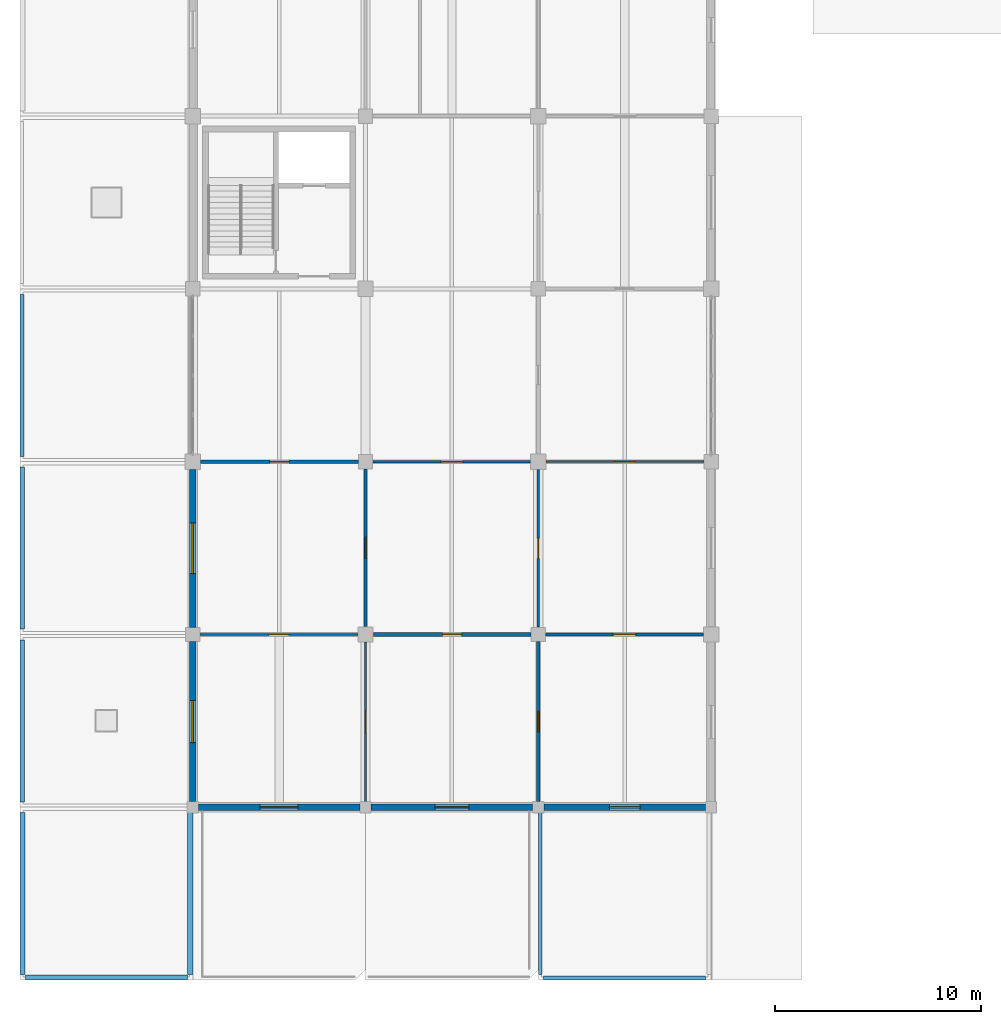
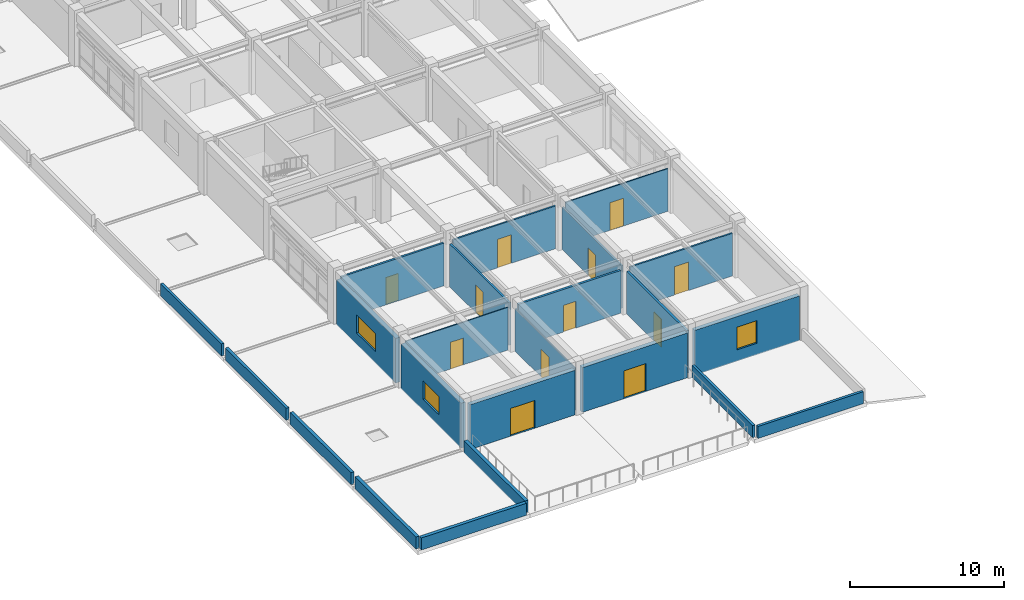
# One storey, part 59 of 78: 23 walls, 12 doors, 3 windows, 15 openings.
"""IFC4 building model written with IfcOpenShell, lengths in metres."""

from ifc_helpers import new_model, si_unit, direction, frame, frame_2d, origin, place, context, subcontext, project, spatial, rectangle, extrude, material, layer, layer_set, type_object, element, fill, save


model = new_model("IFC4")

# Units and contexts
model_context = context("Model", 3, precision=1e-05, world=origin(), true_north=direction((0.0, 1.0)))
body_context = subcontext(model_context, "Body", "Model", "MODEL_VIEW")
ifc_project = project(units=[si_unit("LENGTHUNIT", "METRE"), si_unit("AREAUNIT", "SQUARE_METRE"), si_unit("VOLUMEUNIT", "CUBIC_METRE"), si_unit("PLANEANGLEUNIT", "RADIAN"), si_unit("MASSUNIT", "GRAM", prefix="KILO")], contexts=[model_context])

# Site, building, storey
site_placement = place(None, origin())
site = spatial("IfcSite", under=ifc_project, at=site_placement, CompositionType="ELEMENT")
building_placement = place(site_placement, origin())
building = spatial("IfcBuilding", under=site, at=building_placement, Name="Porcellanite Civic Hall", CompositionType="ELEMENT")
storey_placement = place(building_placement, frame((0.0, 0.0, 10.260009765625)))
storey = spatial("IfcBuildingStorey", under=building, at=storey_placement, Name="L02", CompositionType="ELEMENT", Elevation=10.260009765625)

# Wall, opening, door
ifc_material_1 = material(Name="Precast concrete N40 (40 MPa)", Category="concrete")
ifc_layer_1 = layer(ifc_material_1, 0.320068359375)
ifc_layer_set_1 = layer_set([ifc_layer_1], Name="Precast concrete N40 (40 MPa)")
wall_type_1 = type_object("IfcWallType", Name="EW-COM320", PredefinedType="SOLIDWALL", material=ifc_layer_set_1)
wall_1_placement = place(storey_placement, frame((16.52392578125, 8.39990234375, 0.0), z_axis=(0.0, 0.0, 1.0), x_axis=(-1.0, 0.0, 0.0)))
wall_1 = element("IfcWall", 1, at=wall_1_placement, inside=storey, type_object=wall_type_1, Name="Exterior wall L02 S 2-2", PredefinedType="SOLIDWALL", context=body_context, shape_type="SweptSolid", body=[
    extrude(rectangle(XDim=7.847900390625, YDim=0.320068359375, at=frame_2d((3.923828125, 0.0))), origin(), (0.0, 0.0, 1.0), 3.5400390625),
])
opening_1_placement = place(wall_1_placement, frame((2.9990234375, 0.0, 0.0)))
opening_1 = element("IfcOpeningElement", 2, at=opening_1_placement, cuts=wall_1, Name="Opening TD-03", PredefinedType="OPENING", context=body_context, shape_type="SweptSolid", body=[
    extrude(rectangle(XDim=1.85009765625, YDim=2.199951171875, at=frame_2d((0.925048828125, 1.10009765625))), frame((0.0, 0.16015625, 0.0), z_axis=(0.0, -1.0, 0.0), x_axis=(1.0, 0.0, 0.0)), (0.0, 0.0, 1.0), 0.320068359375),
])
ifc_material_2 = material(Name="Anodised aluminium and laminated safety glass", Category="aluminium")
door_type_1 = type_object("IfcDoorType", Name="DR-TER185", OperationType="DOUBLE_DOOR_SINGLE_SWING", PredefinedType="DOOR", material=ifc_material_2)
door_1_placement = place(opening_1_placement, origin())
door_1 = element("IfcDoor", 3, at=door_1_placement, inside=storey, type_object=door_type_1, Name="Civic terrace door TD-03", OperationType="DOUBLE_DOOR_SINGLE_SWING", OverallHeight=2.199951171875, OverallWidth=1.85009765625, PredefinedType="DOOR", context=body_context, shape_type="SweptSolid", body=[
    extrude(rectangle(XDim=1.85009765625, YDim=2.199951171875, at=frame_2d((0.925048828125, 1.10009765625))), frame((0.0, 0.02490234375, 0.0), z_axis=(0.0, -1.0, 0.0), x_axis=(1.0, 0.0, 0.0)), (0.0, 0.0, 1.0), 0.050048828125),
])
fill(opening_1, door_1)

# Wall, opening, window
wall_2_placement = place(storey_placement, frame((8.39990234375, 8.676025390625, 0.0), z_axis=(0.0, 0.0, 1.0), x_axis=(0.0, 1.0, 0.0)))
wall_2 = element("IfcWall", 4, at=wall_2_placement, inside=storey, type_object=wall_type_1, Name="Exterior wall L02 W 2-2", PredefinedType="SOLIDWALL", context=body_context, shape_type="SweptSolid", body=[
    extrude(rectangle(XDim=7.77294921875, YDim=0.320068359375, at=frame_2d((3.886474609375, 0.0))), origin(), (0.0, 0.0, 1.0), 3.5400390625),
])
opening_2_placement = place(wall_2_placement, frame((2.861083984375, 0.0, 0.89990234375)))
opening_2 = element("IfcOpeningElement", 5, at=opening_2_placement, cuts=wall_2, Name="Opening W39", PredefinedType="OPENING", context=body_context, shape_type="SweptSolid", body=[
    extrude(rectangle(XDim=2.050048828125, YDim=1.449951171875, at=frame_2d((1.02490234375, 0.72509765625))), frame((0.0, 0.16015625, 0.0), z_axis=(0.0, -1.0, 0.0), x_axis=(1.0, 0.0, 0.0)), (0.0, 0.0, 1.0), 0.320068359375),
])
ifc_material_3 = material(Name="Cyclone laminated low-E glazing in anodised aluminium frame", Category="aluminium")
window_type_1 = type_object("IfcWindowType", Name="WN-39", PartitioningType="DOUBLE_PANEL_VERTICAL", PredefinedType="WINDOW", material=ifc_material_3)
window_1_placement = place(opening_2_placement, origin())
window_1 = element("IfcWindow", 6, at=window_1_placement, inside=storey, type_object=window_type_1, Name="Window W39 L02 W 2-2", OverallHeight=1.449951171875, OverallWidth=2.050048828125, PartitioningType="SINGLE_PANEL", PredefinedType="WINDOW", context=body_context, shape_type="SweptSolid", body=[
    extrude(rectangle(XDim=2.050048828125, YDim=1.449951171875, at=frame_2d((1.02490234375, 0.72509765625))), frame((0.0, 0.030029296875, 0.0), z_axis=(0.0, -1.0, 0.0), x_axis=(1.0, 0.0, 0.0)), (0.0, 0.0, 1.0), 0.06005859375),
])
fill(opening_2, window_1)

wall_3_placement = place(storey_placement, frame((8.39990234375, 17.15087890625, 0.0), z_axis=(0.0, 0.0, 1.0), x_axis=(0.0, 1.0, 0.0)))
wall_3 = element("IfcWall", 7, at=wall_3_placement, inside=storey, type_object=wall_type_1, Name="Exterior wall L02 W 2-3", PredefinedType="SOLIDWALL", context=body_context, shape_type="SweptSolid", body=[
    extrude(rectangle(XDim=7.673095703125, YDim=0.320068359375, at=frame_2d((3.83642578125, 0.0))), origin(), (0.0, 0.0, 1.0), 3.5400390625),
])
opening_3_placement = place(wall_3_placement, frame((2.611083984375, 0.0, 0.89990234375)))
opening_3 = element("IfcOpeningElement", 8, at=opening_3_placement, cuts=wall_3, Name="Opening W40", PredefinedType="OPENING", context=body_context, shape_type="SweptSolid", body=[
    extrude(rectangle(XDim=2.449951171875, YDim=1.449951171875, at=frame_2d((1.22509765625, 0.72509765625))), frame((0.0, 0.16015625, 0.0), z_axis=(0.0, -1.0, 0.0), x_axis=(1.0, 0.0, 0.0)), (0.0, 0.0, 1.0), 0.320068359375),
])
ifc_material_4 = material(Name="Cyclone laminated low-E glazing in anodised aluminium frame", Category="aluminium")
window_type_2 = type_object("IfcWindowType", Name="WN-40", PartitioningType="DOUBLE_PANEL_VERTICAL", PredefinedType="WINDOW", material=ifc_material_4)
window_2_placement = place(opening_3_placement, origin())
window_2 = element("IfcWindow", 9, at=window_2_placement, inside=storey, type_object=window_type_2, Name="Window W40 L02 W 2-3", OverallHeight=1.449951171875, OverallWidth=2.449951171875, PartitioningType="SINGLE_PANEL", PredefinedType="WINDOW", context=body_context, shape_type="SweptSolid", body=[
    extrude(rectangle(XDim=2.449951171875, YDim=1.449951171875, at=frame_2d((1.22509765625, 0.72509765625))), frame((0.0, 0.030029296875, 0.0), z_axis=(0.0, -1.0, 0.0), x_axis=(1.0, 0.0, 0.0)), (0.0, 0.0, 1.0), 0.06005859375),
])
fill(opening_3, window_2)

# Wall, opening, door
wall_4_placement = place(storey_placement, frame((24.924072265625, 8.39990234375, 0.0), z_axis=(0.0, 0.0, 1.0), x_axis=(-1.0, 0.0, 0.0)))
wall_4 = element("IfcWall", 10, at=wall_4_placement, inside=storey, type_object=wall_type_1, Name="Exterior wall L02 S 3-2", PredefinedType="SOLIDWALL", context=body_context, shape_type="SweptSolid", body=[
    extrude(rectangle(XDim=7.84814453125, YDim=0.320068359375, at=frame_2d((3.924072265625, 0.0))), origin(), (0.0, 0.0, 1.0), 3.5400390625),
])
opening_4_placement = place(wall_4_placement, frame((3.09912109375, 0.0, 0.0)))
opening_4 = element("IfcOpeningElement", 11, at=opening_4_placement, cuts=wall_4, Name="Opening TD-04", PredefinedType="OPENING", context=body_context, shape_type="SweptSolid", body=[
    extrude(rectangle(XDim=1.64990234375, YDim=2.199951171875, at=frame_2d((0.824951171875, 1.10009765625))), frame((0.0, 0.16015625, 0.0), z_axis=(0.0, -1.0, 0.0), x_axis=(1.0, 0.0, 0.0)), (0.0, 0.0, 1.0), 0.320068359375),
])
ifc_material_5 = material(Name="Anodised aluminium and laminated safety glass", Category="aluminium")
door_type_2 = type_object("IfcDoorType", Name="DR-TER165", OperationType="DOUBLE_DOOR_SINGLE_SWING", PredefinedType="DOOR", material=ifc_material_5)
door_2_placement = place(opening_4_placement, origin())
door_2 = element("IfcDoor", 12, at=door_2_placement, inside=storey, type_object=door_type_2, Name="Civic terrace door TD-04", OperationType="DOUBLE_DOOR_SINGLE_SWING", OverallHeight=2.199951171875, OverallWidth=1.64990234375, PredefinedType="DOOR", context=body_context, shape_type="SweptSolid", body=[
    extrude(rectangle(XDim=1.64990234375, YDim=2.199951171875, at=frame_2d((0.824951171875, 1.10009765625))), frame((0.0, 0.02490234375, 0.0), z_axis=(0.0, -1.0, 0.0), x_axis=(1.0, 0.0, 0.0)), (0.0, 0.0, 1.0), 0.050048828125),
])
fill(opening_4, door_2)

# Wall, opening, window
wall_5_placement = place(storey_placement, frame((33.323974609375, 8.39990234375, 0.0), z_axis=(0.0, 0.0, 1.0), x_axis=(-1.0, 0.0, 0.0)))
wall_5 = element("IfcWall", 13, at=wall_5_placement, inside=storey, type_object=wall_type_1, Name="Exterior wall L02 S 4-2", PredefinedType="SOLIDWALL", context=body_context, shape_type="SweptSolid", body=[
    extrude(rectangle(XDim=7.847900390625, YDim=0.320068359375, at=frame_2d((3.923828125, 0.0))), origin(), (0.0, 0.0, 1.0), 3.5400390625),
])
opening_5_placement = place(wall_5_placement, frame((3.174072265625, 0.0, 0.89990234375)))
opening_5 = element("IfcOpeningElement", 14, at=opening_5_placement, cuts=wall_5, Name="Opening W04", PredefinedType="OPENING", context=body_context, shape_type="SweptSolid", body=[
    extrude(rectangle(XDim=1.5, YDim=1.800048828125, at=frame_2d((0.75, 0.89990234375))), frame((0.0, 0.16015625, 0.0), z_axis=(0.0, -1.0, 0.0), x_axis=(1.0, 0.0, 0.0)), (0.0, 0.0, 1.0), 0.320068359375),
])
ifc_material_6 = material(Name="Cyclone laminated low-E glazing in anodised aluminium frame", Category="aluminium")
window_type_3 = type_object("IfcWindowType", Name="WN-04", PartitioningType="SINGLE_PANEL", PredefinedType="WINDOW", material=ifc_material_6)
window_3_placement = place(opening_5_placement, origin())
window_3 = element("IfcWindow", 15, at=window_3_placement, inside=storey, type_object=window_type_3, Name="Window W04 L02 S 4-2", OverallHeight=1.800048828125, OverallWidth=1.5, PartitioningType="SINGLE_PANEL", PredefinedType="WINDOW", context=body_context, shape_type="SweptSolid", body=[
    extrude(rectangle(XDim=1.5, YDim=1.800048828125, at=frame_2d((0.75, 0.89990234375))), frame((0.0, 0.030029296875, 0.0), z_axis=(0.0, -1.0, 0.0), x_axis=(1.0, 0.0, 0.0)), (0.0, 0.0, 1.0), 0.06005859375),
])
fill(opening_5, window_3)

# Wall, opening, door
ifc_material_7 = material(Name="Insulated acoustic plasterboard on light-gauge steel studs", Category="steel")
ifc_layer_2 = layer(ifc_material_7, 0.087890625)
ifc_layer_set_2 = layer_set([ifc_layer_2], Name="Insulated acoustic plasterboard on light-gauge steel studs")
wall_type_2 = type_object("IfcWallType", Name="IW-PT088", PredefinedType="PARTITIONING", material=ifc_layer_set_2)
wall_6_placement = place(storey_placement, frame((8.751953125, 16.800048828125, 0.0), z_axis=(0.0, 0.0, 1.0), x_axis=(1.0, 0.0, 0.0)))
wall_6 = element("IfcWall", 16, at=wall_6_placement, inside=storey, type_object=wall_type_2, Name="Partition L02 H 2-2", PredefinedType="PARTITIONING", context=body_context, shape_type="SweptSolid", body=[
    extrude(rectangle(XDim=7.671142578125, YDim=0.087890625, at=frame_2d((3.83544921875, 0.0))), origin(), (0.0, 0.0, 1.0), 3.369873046875),
])
opening_6_placement = place(wall_6_placement, frame((3.35107421875, 0.0, 0.0)))
opening_6 = element("IfcOpeningElement", 17, at=opening_6_placement, cuts=wall_6, Name="Opening D-L02-362", PredefinedType="OPENING", context=body_context, shape_type="SweptSolid", body=[
    extrude(rectangle(XDim=0.969970703125, YDim=2.1201171875, at=frame_2d((0.48486328125, 1.06005859375))), frame((0.0, 0.0439453125, 0.0), z_axis=(0.0, -1.0, 0.0), x_axis=(1.0, 0.0, 0.0)), (0.0, 0.0, 1.0), 0.087890625),
])
ifc_material_8 = material(Name="Solid-core spotted-gum timber", Category="wood")
door_type_3 = type_object("IfcDoorType", Name="DR-RM097", OperationType="NOTDEFINED", PredefinedType="DOOR", material=ifc_material_8)
door_3_placement = place(opening_6_placement, origin())
door_3 = element("IfcDoor", 18, at=door_3_placement, inside=storey, type_object=door_type_3, Name="Interior door D-L02-362", OperationType="SINGLE_SWING_RIGHT", OverallHeight=2.1201171875, OverallWidth=0.969970703125, PredefinedType="DOOR", context=body_context, shape_type="SweptSolid", body=[
    extrude(rectangle(XDim=0.969970703125, YDim=2.1201171875, at=frame_2d((0.48486328125, 1.06005859375))), frame((0.0, 0.02490234375, 0.0), z_axis=(0.0, -1.0, 0.0), x_axis=(1.0, 0.0, 0.0)), (0.0, 0.0, 1.0), 0.050048828125),
])
fill(opening_6, door_3)

wall_7_placement = place(storey_placement, frame((16.800048828125, 8.677001953125, 0.0), z_axis=(0.0, 0.0, 1.0), x_axis=(0.0, 1.0, 0.0)))
wall_7 = element("IfcWall", 19, at=wall_7_placement, inside=storey, type_object=wall_type_2, Name="Partition L02 V 2-2", PredefinedType="PARTITIONING", context=body_context, shape_type="SweptSolid", body=[
    extrude(rectangle(XDim=7.74609375, YDim=0.087890625, at=frame_2d((3.873046875, 0.0))), origin(), (0.0, 0.0, 1.0), 3.369873046875),
])
opening_7_placement = place(wall_7_placement, frame((3.35302734375, 0.0, 0.0)))
opening_7 = element("IfcOpeningElement", 20, at=opening_7_placement, cuts=wall_7, Name="Opening D-L02-392", PredefinedType="OPENING", context=body_context, shape_type="SweptSolid", body=[
    extrude(rectangle(XDim=1.0400390625, YDim=2.199951171875, at=frame_2d((0.52001953125, 1.10009765625))), frame((0.0, 0.0439453125, 0.0), z_axis=(0.0, -1.0, 0.0), x_axis=(1.0, 0.0, 0.0)), (0.0, 0.0, 1.0), 0.087890625),
])
ifc_material_9 = material(Name="Solid-core spotted-gum timber", Category="wood")
door_type_4 = type_object("IfcDoorType", Name="DR-RM104", OperationType="NOTDEFINED", PredefinedType="DOOR", material=ifc_material_9)
door_4_placement = place(opening_7_placement, origin())
door_4 = element("IfcDoor", 21, at=door_4_placement, inside=storey, type_object=door_type_4, Name="Interior door D-L02-392", OperationType="SINGLE_SWING_RIGHT", OverallHeight=2.199951171875, OverallWidth=1.0400390625, PredefinedType="DOOR", context=body_context, shape_type="SweptSolid", body=[
    extrude(rectangle(XDim=1.0400390625, YDim=2.199951171875, at=frame_2d((0.52001953125, 1.10009765625))), frame((0.0, 0.02490234375, 0.0), z_axis=(0.0, -1.0, 0.0), x_axis=(1.0, 0.0, 0.0)), (0.0, 0.0, 1.0), 0.050048828125),
])
fill(opening_7, door_4)

ifc_material_10 = material(Name="Insulated acoustic plasterboard on light-gauge steel studs", Category="steel")
ifc_layer_3 = layer(ifc_material_10, 0.094970703125)
ifc_layer_set_3 = layer_set([ifc_layer_3], Name="Insulated acoustic plasterboard on light-gauge steel studs")
wall_type_3 = type_object("IfcWallType", Name="IW-PT095", PredefinedType="PARTITIONING", material=ifc_layer_set_3)
wall_8_placement = place(storey_placement, frame((25.576904296875, 25.199951171875, 0.0), z_axis=(0.0, 0.0, 1.0), x_axis=(1.0, 0.0, 0.0)))
wall_8 = element("IfcWall", 22, at=wall_8_placement, inside=storey, type_object=wall_type_3, Name="Partition L02 H 4-3", PredefinedType="PARTITIONING", context=body_context, shape_type="SweptSolid", body=[
    extrude(rectangle(XDim=7.671142578125, YDim=0.094970703125, at=frame_2d((3.83544921875, 0.0))), origin(), (0.0, 0.0, 1.0), 3.369873046875),
])
opening_8_placement = place(wall_8_placement, frame((3.324951171875, 0.0, 0.0)))
opening_8 = element("IfcOpeningElement", 23, at=opening_8_placement, cuts=wall_8, Name="Opening D-L02-380", PredefinedType="OPENING", context=body_context, shape_type="SweptSolid", body=[
    extrude(rectangle(XDim=1.02001953125, YDim=2.199951171875, at=frame_2d((0.510009765625, 1.10009765625))), frame((0.0, 0.04736328125, 0.0), z_axis=(0.0, -1.0, 0.0), x_axis=(1.0, 0.0, 0.0)), (0.0, 0.0, 1.0), 0.094970703125),
])
ifc_material_11 = material(Name="Solid-core spotted-gum timber", Category="wood")
door_type_5 = type_object("IfcDoorType", Name="DR-RM102", OperationType="NOTDEFINED", PredefinedType="DOOR", material=ifc_material_11)
door_5_placement = place(opening_8_placement, origin())
door_5 = element("IfcDoor", 24, at=door_5_placement, inside=storey, type_object=door_type_5, Name="Interior door D-L02-380", OperationType="SINGLE_SWING_RIGHT", OverallHeight=2.199951171875, OverallWidth=1.02001953125, PredefinedType="DOOR", context=body_context, shape_type="SweptSolid", body=[
    extrude(rectangle(XDim=1.02001953125, YDim=2.199951171875, at=frame_2d((0.510009765625, 1.10009765625))), frame((0.0, 0.02490234375, 0.0), z_axis=(0.0, -1.0, 0.0), x_axis=(1.0, 0.0, 0.0)), (0.0, 0.0, 1.0), 0.050048828125),
])
fill(opening_8, door_5)

ifc_material_12 = material(Name="Insulated acoustic plasterboard on light-gauge steel studs", Category="steel")
ifc_layer_4 = layer(ifc_material_12, 0.125)
ifc_layer_set_4 = layer_set([ifc_layer_4], Name="Insulated acoustic plasterboard on light-gauge steel studs")
wall_type_4 = type_object("IfcWallType", Name="IW-PT125", PredefinedType="PARTITIONING", material=ifc_layer_set_4)
wall_9_placement = place(storey_placement, frame((17.152099609375, 25.199951171875, 0.0), z_axis=(0.0, 0.0, 1.0), x_axis=(1.0, 0.0, 0.0)))
wall_9 = element("IfcWall", 25, at=wall_9_placement, inside=storey, type_object=wall_type_4, Name="Partition L02 H 3-3", PredefinedType="PARTITIONING", context=body_context, shape_type="SweptSolid", body=[
    extrude(rectangle(XDim=7.6708984375, YDim=0.125, at=frame_2d((3.83544921875, 0.0))), origin(), (0.0, 0.0, 1.0), 3.369873046875),
])
opening_9_placement = place(wall_9_placement, frame((3.305908203125, 0.0, 0.0)))
opening_9 = element("IfcOpeningElement", 26, at=opening_9_placement, cuts=wall_9, Name="Opening D-L02-326", PredefinedType="OPENING", context=body_context, shape_type="SweptSolid", body=[
    extrude(rectangle(XDim=1.06005859375, YDim=2.25, at=frame_2d((0.530029296875, 1.125))), frame((0.0, 0.0625, 0.0), z_axis=(0.0, -1.0, 0.0), x_axis=(1.0, 0.0, 0.0)), (0.0, 0.0, 1.0), 0.125),
])
ifc_material_13 = material(Name="Solid-core spotted-gum timber", Category="wood")
door_type_6 = type_object("IfcDoorType", Name="DR-RM106", OperationType="NOTDEFINED", PredefinedType="DOOR", material=ifc_material_13)
door_6_placement = place(opening_9_placement, origin())
door_6 = element("IfcDoor", 27, at=door_6_placement, inside=storey, type_object=door_type_6, Name="Interior door D-L02-326", OperationType="SINGLE_SWING_RIGHT", OverallHeight=2.25, OverallWidth=1.06005859375, PredefinedType="DOOR", context=body_context, shape_type="SweptSolid", body=[
    extrude(rectangle(XDim=1.06005859375, YDim=2.25, at=frame_2d((0.530029296875, 1.125))), frame((0.0, 0.02490234375, 0.0), z_axis=(0.0, -1.0, 0.0), x_axis=(1.0, 0.0, 0.0)), (0.0, 0.0, 1.0), 0.050048828125),
])
fill(opening_9, door_6)

ifc_material_14 = material(Name="Insulated acoustic plasterboard on light-gauge steel studs", Category="steel")
ifc_layer_5 = layer(ifc_material_14, 0.155029296875)
ifc_layer_set_5 = layer_set([ifc_layer_5], Name="Insulated acoustic plasterboard on light-gauge steel studs")
wall_type_5 = type_object("IfcWallType", Name="IW-PT155", PredefinedType="PARTITIONING", material=ifc_layer_set_5)
wall_10_placement = place(storey_placement, frame((8.777099609375, 25.199951171875, 0.0), z_axis=(0.0, 0.0, 1.0), x_axis=(1.0, 0.0, 0.0)))
wall_10 = element("IfcWall", 28, at=wall_10_placement, inside=storey, type_object=wall_type_5, Name="Partition L02 H 2-3", PredefinedType="PARTITIONING", context=body_context, shape_type="SweptSolid", body=[
    extrude(rectangle(XDim=7.6708984375, YDim=0.155029296875, at=frame_2d((3.83544921875, 0.0))), origin(), (0.0, 0.0, 1.0), 3.369873046875),
])
opening_10_placement = place(wall_10_placement, frame((3.37109375, 0.0, 0.0)))
opening_10 = element("IfcOpeningElement", 29, at=opening_10_placement, cuts=wall_10, Name="Opening D-L02-324", PredefinedType="OPENING", context=body_context, shape_type="SweptSolid", body=[
    extrude(rectangle(XDim=0.929931640625, YDim=2.1201171875, at=frame_2d((0.46484375, 1.06005859375))), frame((0.0, 0.07763671875, 0.0), z_axis=(0.0, -1.0, 0.0), x_axis=(1.0, 0.0, 0.0)), (0.0, 0.0, 1.0), 0.155029296875),
])
ifc_material_15 = material(Name="Solid-core spotted-gum timber", Category="wood")
door_type_7 = type_object("IfcDoorType", Name="DR-RM093", OperationType="NOTDEFINED", PredefinedType="DOOR", material=ifc_material_15)
door_7_placement = place(opening_10_placement, origin())
door_7 = element("IfcDoor", 30, at=door_7_placement, inside=storey, type_object=door_type_7, Name="Interior door D-L02-324", OperationType="SINGLE_SWING_RIGHT", OverallHeight=2.1201171875, OverallWidth=0.929931640625, PredefinedType="DOOR", context=body_context, shape_type="SweptSolid", body=[
    extrude(rectangle(XDim=0.929931640625, YDim=2.1201171875, at=frame_2d((0.46484375, 1.06005859375))), frame((0.0, 0.02490234375, 0.0), z_axis=(0.0, -1.0, 0.0), x_axis=(1.0, 0.0, 0.0)), (0.0, 0.0, 1.0), 0.050048828125),
])
fill(opening_10, door_7)

wall_11_placement = place(storey_placement, frame((16.800048828125, 17.177001953125, 0.0), z_axis=(0.0, 0.0, 1.0), x_axis=(0.0, 1.0, 0.0)))
wall_11 = element("IfcWall", 31, at=wall_11_placement, inside=storey, type_object=wall_type_5, Name="Partition L02 V 2-3", PredefinedType="PARTITIONING", context=body_context, shape_type="SweptSolid", body=[
    extrude(rectangle(XDim=7.6708984375, YDim=0.155029296875, at=frame_2d((3.83544921875, 0.0))), origin(), (0.0, 0.0, 1.0), 3.369873046875),
])
opening_11_placement = place(wall_11_placement, frame((3.324951171875, 0.0, 0.0)))
opening_11 = element("IfcOpeningElement", 32, at=opening_11_placement, cuts=wall_11, Name="Opening D-L02-393", PredefinedType="OPENING", context=body_context, shape_type="SweptSolid", body=[
    extrude(rectangle(XDim=1.02001953125, YDim=2.199951171875, at=frame_2d((0.510009765625, 1.10009765625))), frame((0.0, 0.07763671875, 0.0), z_axis=(0.0, -1.0, 0.0), x_axis=(1.0, 0.0, 0.0)), (0.0, 0.0, 1.0), 0.155029296875),
])
door_8_placement = place(opening_11_placement, origin())
door_8 = element("IfcDoor", 33, at=door_8_placement, inside=storey, type_object=door_type_5, Name="Interior door D-L02-393", OperationType="SINGLE_SWING_LEFT", OverallHeight=2.199951171875, OverallWidth=1.02001953125, PredefinedType="DOOR", context=body_context, shape_type="SweptSolid", body=[
    extrude(rectangle(XDim=1.02001953125, YDim=2.199951171875, at=frame_2d((0.510009765625, 1.10009765625))), frame((0.0, 0.02490234375, 0.0), z_axis=(0.0, -1.0, 0.0), x_axis=(1.0, 0.0, 0.0)), (0.0, 0.0, 1.0), 0.050048828125),
])
fill(opening_11, door_8)

ifc_material_16 = material(Name="Insulated acoustic plasterboard on light-gauge steel studs", Category="steel")
ifc_layer_6 = layer(ifc_material_16, 0.175048828125)
ifc_layer_set_6 = layer_set([ifc_layer_6], Name="Insulated acoustic plasterboard on light-gauge steel studs")
wall_type_6 = type_object("IfcWallType", Name="IW-PT175", PredefinedType="PARTITIONING", material=ifc_layer_set_6)
wall_12_placement = place(storey_placement, frame((17.177001953125, 16.800048828125, 0.0), z_axis=(0.0, 0.0, 1.0), x_axis=(1.0, 0.0, 0.0)))
wall_12 = element("IfcWall", 34, at=wall_12_placement, inside=storey, type_object=wall_type_6, Name="Partition L02 H 3-2", PredefinedType="PARTITIONING", context=body_context, shape_type="SweptSolid", body=[
    extrude(rectangle(XDim=7.6708984375, YDim=0.175048828125, at=frame_2d((3.83544921875, 0.0))), origin(), (0.0, 0.0, 1.0), 3.369873046875),
])
opening_12_placement = place(wall_12_placement, frame((3.37109375, 0.0, 0.0)))
opening_12 = element("IfcOpeningElement", 35, at=opening_12_placement, cuts=wall_12, Name="Opening D-L02-363", PredefinedType="OPENING", context=body_context, shape_type="SweptSolid", body=[
    extrude(rectangle(XDim=0.929931640625, YDim=2.1201171875, at=frame_2d((0.46484375, 1.06005859375))), frame((0.0, 0.08740234375, 0.0), z_axis=(0.0, -1.0, 0.0), x_axis=(1.0, 0.0, 0.0)), (0.0, 0.0, 1.0), 0.175048828125),
])
door_9_placement = place(opening_12_placement, origin())
door_9 = element("IfcDoor", 36, at=door_9_placement, inside=storey, type_object=door_type_7, Name="Interior door D-L02-363", OperationType="SINGLE_SWING_LEFT", OverallHeight=2.1201171875, OverallWidth=0.929931640625, PredefinedType="DOOR", context=body_context, shape_type="SweptSolid", body=[
    extrude(rectangle(XDim=0.929931640625, YDim=2.1201171875, at=frame_2d((0.46484375, 1.06005859375))), frame((0.0, 0.02490234375, 0.0), z_axis=(0.0, -1.0, 0.0), x_axis=(1.0, 0.0, 0.0)), (0.0, 0.0, 1.0), 0.050048828125),
])
fill(opening_12, door_9)

wall_13_placement = place(storey_placement, frame((25.199951171875, 8.677001953125, 0.0), z_axis=(0.0, 0.0, 1.0), x_axis=(0.0, 1.0, 0.0)))
wall_13 = element("IfcWall", 37, at=wall_13_placement, inside=storey, type_object=wall_type_6, Name="Partition L02 V 3-2", PredefinedType="PARTITIONING", context=body_context, shape_type="SweptSolid", body=[
    extrude(rectangle(XDim=7.77099609375, YDim=0.175048828125, at=frame_2d((3.885498046875, 0.0))), origin(), (0.0, 0.0, 1.0), 3.369873046875),
])
opening_13_placement = place(wall_13_placement, frame((3.385009765625, 0.0, 0.0)))
opening_13 = element("IfcOpeningElement", 38, at=opening_13_placement, cuts=wall_13, Name="Opening D-L02-394", PredefinedType="OPENING", context=body_context, shape_type="SweptSolid", body=[
    extrude(rectangle(XDim=1.0, YDim=2.199951171875, at=frame_2d((0.5, 1.10009765625))), frame((0.0, 0.08740234375, 0.0), z_axis=(0.0, -1.0, 0.0), x_axis=(1.0, 0.0, 0.0)), (0.0, 0.0, 1.0), 0.175048828125),
])
ifc_material_17 = material(Name="Solid-core spotted-gum timber", Category="wood")
door_type_8 = type_object("IfcDoorType", Name="DR-RM100", OperationType="NOTDEFINED", PredefinedType="DOOR", material=ifc_material_17)
door_10_placement = place(opening_13_placement, origin())
door_10 = element("IfcDoor", 39, at=door_10_placement, inside=storey, type_object=door_type_8, Name="Interior door D-L02-394", OperationType="SINGLE_SWING_RIGHT", OverallHeight=2.199951171875, OverallWidth=1.0, PredefinedType="DOOR", context=body_context, shape_type="SweptSolid", body=[
    extrude(rectangle(XDim=1.0, YDim=2.199951171875, at=frame_2d((0.5, 1.10009765625))), frame((0.0, 0.02490234375, 0.0), z_axis=(0.0, -1.0, 0.0), x_axis=(1.0, 0.0, 0.0)), (0.0, 0.0, 1.0), 0.050048828125),
])
fill(opening_13, door_10)

ifc_material_18 = material(Name="Acoustic timber-veneered operable panel system", Category="wood")
ifc_layer_7 = layer(ifc_material_18, 0.1298828125)
ifc_layer_set_7 = layer_set([ifc_layer_7], Name="Acoustic timber-veneered operable panel system")
wall_type_7 = type_object("IfcWallType", Name="MW-OP130", PredefinedType="MOVABLE", material=ifc_layer_set_7)
wall_14_placement = place(storey_placement, frame((25.552001953125, 16.800048828125, 0.0), z_axis=(0.0, 0.0, 1.0), x_axis=(1.0, 0.0, 0.0)))
wall_14 = element("IfcWall", 40, at=wall_14_placement, inside=storey, type_object=wall_type_7, Name="Partition L02 H 4-2", PredefinedType="MOVABLE", context=body_context, shape_type="SweptSolid", body=[
    extrude(rectangle(XDim=7.6708984375, YDim=0.1298828125, at=frame_2d((3.83544921875, 0.0))), origin(), (0.0, 0.0, 1.0), 3.369873046875),
])
opening_14_placement = place(wall_14_placement, frame((3.2958984375, 0.0, 0.0)))
opening_14 = element("IfcOpeningElement", 41, at=opening_14_placement, cuts=wall_14, Name="Opening D-L02-364", PredefinedType="OPENING", context=body_context, shape_type="SweptSolid", body=[
    extrude(rectangle(XDim=1.080078125, YDim=2.25, at=frame_2d((0.5400390625, 1.125))), frame((0.0, 0.06494140625, 0.0), z_axis=(0.0, -1.0, 0.0), x_axis=(1.0, 0.0, 0.0)), (0.0, 0.0, 1.0), 0.1298828125),
])
ifc_material_19 = material(Name="Solid-core spotted-gum timber", Category="wood")
door_type_9 = type_object("IfcDoorType", Name="DR-RM108", OperationType="NOTDEFINED", PredefinedType="DOOR", material=ifc_material_19)
door_11_placement = place(opening_14_placement, origin())
door_11 = element("IfcDoor", 42, at=door_11_placement, inside=storey, type_object=door_type_9, Name="Interior door D-L02-364", OperationType="SINGLE_SWING_RIGHT", OverallHeight=2.25, OverallWidth=1.080078125, PredefinedType="DOOR", context=body_context, shape_type="SweptSolid", body=[
    extrude(rectangle(XDim=1.080078125, YDim=2.25, at=frame_2d((0.5400390625, 1.125))), frame((0.0, 0.02490234375, 0.0), z_axis=(0.0, -1.0, 0.0), x_axis=(1.0, 0.0, 0.0)), (0.0, 0.0, 1.0), 0.050048828125),
])
fill(opening_14, door_11)

wall_15_placement = place(storey_placement, frame((25.199951171875, 17.152099609375, 0.0), z_axis=(0.0, 0.0, 1.0), x_axis=(0.0, 1.0, 0.0)))
wall_15 = element("IfcWall", 43, at=wall_15_placement, inside=storey, type_object=wall_type_7, Name="Partition L02 V 3-3", PredefinedType="MOVABLE", context=body_context, shape_type="SweptSolid", body=[
    extrude(rectangle(XDim=7.6708984375, YDim=0.1298828125, at=frame_2d((3.83544921875, 0.0))), origin(), (0.0, 0.0, 1.0), 3.369873046875),
])
opening_15_placement = place(wall_15_placement, frame((3.345947265625, 0.0, 0.0)))
opening_15 = element("IfcOpeningElement", 44, at=opening_15_placement, cuts=wall_15, Name="Opening D-L02-395", PredefinedType="OPENING", context=body_context, shape_type="SweptSolid", body=[
    extrude(rectangle(XDim=0.97998046875, YDim=2.179931640625, at=frame_2d((0.489990234375, 1.08984375))), frame((0.0, 0.06494140625, 0.0), z_axis=(0.0, -1.0, 0.0), x_axis=(1.0, 0.0, 0.0)), (0.0, 0.0, 1.0), 0.1298828125),
])
ifc_material_20 = material(Name="Solid-core spotted-gum timber", Category="wood")
door_type_10 = type_object("IfcDoorType", Name="DR-RM098", OperationType="NOTDEFINED", PredefinedType="DOOR", material=ifc_material_20)
door_12_placement = place(opening_15_placement, origin())
door_12 = element("IfcDoor", 45, at=door_12_placement, inside=storey, type_object=door_type_10, Name="Interior door D-L02-395", OperationType="SINGLE_SWING_LEFT", OverallHeight=2.179931640625, OverallWidth=0.97998046875, PredefinedType="DOOR", context=body_context, shape_type="SweptSolid", body=[
    extrude(rectangle(XDim=0.97998046875, YDim=2.179931640625, at=frame_2d((0.489990234375, 1.08984375))), frame((0.0, 0.02490234375, 0.0), z_axis=(0.0, -1.0, 0.0), x_axis=(1.0, 0.0, 0.0)), (0.0, 0.0, 1.0), 0.050048828125),
])
fill(opening_15, door_12)

# Walls
ifc_material_21 = material(Name="Precast concrete N40 (40 MPa)", Category="concrete")
ifc_layer_8 = layer(ifc_material_21, 0.25)
ifc_layer_set_8 = layer_set([ifc_layer_8], Name="Precast concrete N40 (40 MPa)")
wall_type_8 = type_object("IfcWallType", Name="WP-PAR1", PredefinedType="PARAPET", material=ifc_layer_set_8)
for number, where, z_axis, x_axis, name in (
    (46, (8.139892578125, 0.125, 0.0), (0.0, 0.0, 1.0), (-1.0, 0.0, 0.0), "Roof parapet L02 S 1-1"),
    (47, (0.125, 0.260009765625, 0.0), (0.0, 0.0, 1.0), (0.0, 1.0, 0.0), "Roof parapet L02 W 1-1"),
    (48, (8.27490234375, 8.139892578125, 0.0), (0.0, 0.0, 1.0), (0.0, -1.0, 0.0), "Roof parapet L02 E 1-1"),
):
    element("IfcWall", number, at=place(storey_placement, frame(where, z_axis=z_axis, x_axis=x_axis)), inside=storey, type_object=wall_type_8, Name=name, PredefinedType="PARAPET", context=body_context, shape_type="SweptSolid", body=[
        extrude(rectangle(XDim=7.8798828125, YDim=0.25, at=frame_2d((3.93994140625, 0.0))), origin(), (0.0, 0.0, 1.0), 0.949951171875),
    ])
ifc_material_22 = material(Name="Precast concrete N40 (40 MPa)", Category="concrete")
ifc_layer_9 = layer(ifc_material_22, 0.22998046875)
ifc_layer_set_9 = layer_set([ifc_layer_9], Name="Precast concrete N40 (40 MPa)")
wall_type_9 = type_object("IfcWallType", Name="WP-PAR2", PredefinedType="PARAPET", material=ifc_layer_set_9)
wall_16_placement = place(storey_placement, frame((0.114990234375, 8.659912109375, 0.0), z_axis=(0.0, 0.0, 1.0), x_axis=(0.0, 1.0, 0.0)))
element("IfcWall", 49, at=wall_16_placement, inside=storey, type_object=wall_type_9, Name="Roof parapet L02 W 1-2", PredefinedType="PARAPET", context=body_context, shape_type="SweptSolid", body=[
    extrude(rectangle(XDim=7.880126953125, YDim=0.22998046875, at=frame_2d((3.93994140625, 0.0))), origin(), (0.0, 0.0, 1.0), 0.949951171875),
])
ifc_material_23 = material(Name="Precast concrete N40 (40 MPa)", Category="concrete")
ifc_layer_10 = layer(ifc_material_23, 0.2099609375)
ifc_layer_set_10 = layer_set([ifc_layer_10], Name="Precast concrete N40 (40 MPa)")
wall_type_10 = type_object("IfcWallType", Name="WP-PAR3", PredefinedType="PARAPET", material=ifc_layer_set_10)
wall_17_placement = place(storey_placement, frame((0.10498046875, 17.06005859375, 0.0), z_axis=(0.0, 0.0, 1.0), x_axis=(0.0, 1.0, 0.0)))
element("IfcWall", 50, at=wall_17_placement, inside=storey, type_object=wall_type_10, Name="Roof parapet L02 W 1-3", PredefinedType="PARAPET", context=body_context, shape_type="SweptSolid", body=[
    extrude(rectangle(XDim=7.8798828125, YDim=0.2099609375, at=frame_2d((3.93994140625, 0.0))), origin(), (0.0, 0.0, 1.0), 0.949951171875),
])
ifc_material_24 = material(Name="Precast concrete N40 (40 MPa)", Category="concrete")
ifc_layer_11 = layer(ifc_material_24, 0.18994140625)
ifc_layer_set_11 = layer_set([ifc_layer_11], Name="Precast concrete N40 (40 MPa)")
wall_type_11 = type_object("IfcWallType", Name="WP-PAR4", PredefinedType="PARAPET", material=ifc_layer_set_11)
for number, where, z_axis, x_axis, name in (
    (51, (0.094970703125, 25.4599609375, 0.0), (0.0, 0.0, 1.0), (0.0, 1.0, 0.0), "Roof parapet L02 W 1-4"),
    (52, (33.340087890625, 0.094970703125, 0.0), (0.0, 0.0, 1.0), (-1.0, 0.0, 0.0), "Roof parapet L02 S 4-1"),
):
    element("IfcWall", number, at=place(storey_placement, frame(where, z_axis=z_axis, x_axis=x_axis)), inside=storey, type_object=wall_type_11, Name=name, PredefinedType="PARAPET", context=body_context, shape_type="SweptSolid", body=[
        extrude(rectangle(XDim=7.880126953125, YDim=0.18994140625, at=frame_2d((3.93994140625, 0.0))), origin(), (0.0, 0.0, 1.0), 0.949951171875),
    ])
wall_18_placement = place(storey_placement, frame((25.294921875, 0.260009765625, 0.0), z_axis=(0.0, 0.0, 1.0), x_axis=(0.0, 1.0, 0.0)))
element("IfcWall", 53, at=wall_18_placement, inside=storey, type_object=wall_type_11, Name="Roof parapet L02 W 4-1", PredefinedType="PARAPET", context=body_context, shape_type="SweptSolid", body=[
    extrude(rectangle(XDim=7.8798828125, YDim=0.18994140625, at=frame_2d((3.93994140625, 0.0))), origin(), (0.0, 0.0, 1.0), 0.949951171875),
])

save(model, "model.ifc")
